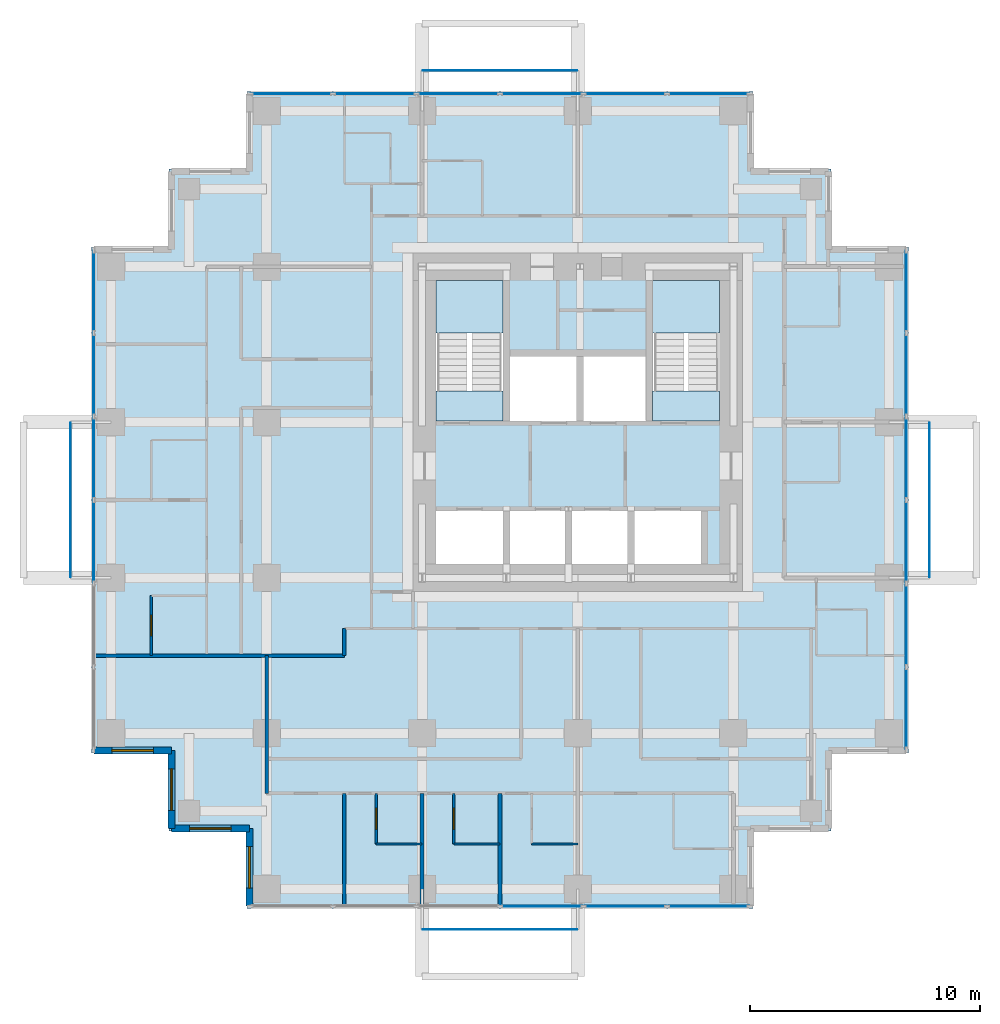
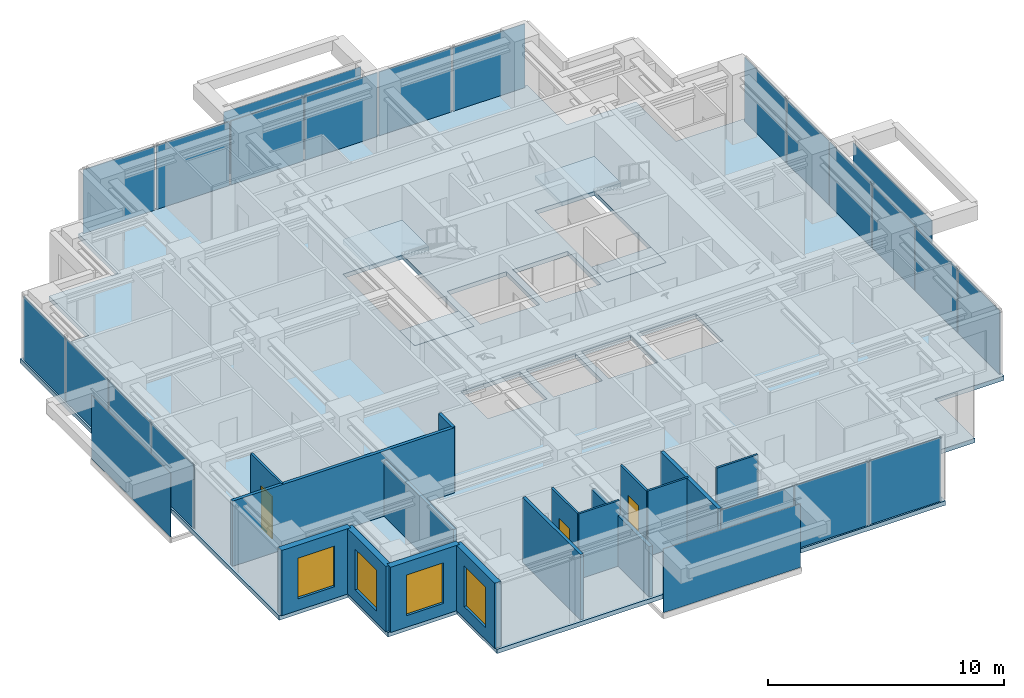
# One storey, part 5 of 10: 23 plates, 16 walls, 5 slabs, 4 windows, 3 doors, 7 openings, 6 elements without a shape of their own.
"""IFC4 building model written with IfcOpenShell, lengths in metres."""

from ifc_helpers import new_model, si_unit, direction, frame, frame_2d, origin, origin_2d, place, context, subcontext, project, spatial, polyline, rectangle, outline, extrude, material, layer, layer_set, type_object, element, fill, aggregate, save


model = new_model("IFC4")

# Units and contexts
model_context = context("Model", 3, precision=1e-05, world=origin(), true_north=direction((0.0, 1.0)))
body_context = subcontext(model_context, "Body", "Model", "MODEL_VIEW")
ifc_project = project(units=[si_unit("LENGTHUNIT", "METRE"), si_unit("AREAUNIT", "SQUARE_METRE"), si_unit("VOLUMEUNIT", "CUBIC_METRE"), si_unit("PLANEANGLEUNIT", "RADIAN"), si_unit("MASSUNIT", "GRAM", prefix="KILO")], contexts=[model_context])

# Site, building, storey
site_placement = place(None, origin())
site = spatial("IfcSite", under=ifc_project, at=site_placement, CompositionType="ELEMENT")
building_placement = place(site_placement, origin())
building = spatial("IfcBuilding", under=site, at=building_placement, Name="Nyansa Garden Tower", CompositionType="ELEMENT")
storey_placement = place(building_placement, frame((0.0, 0.0, 174.60009765625)))
storey = spatial("IfcBuildingStorey", under=building, at=storey_placement, Name="L47", CompositionType="ELEMENT", Elevation=174.60009765625)

# Curtain wall, plates
ifc_material_1 = material(Name="Black anodised aluminium, dark tinted double glazing", Category="aluminium")
curtain_wall_type = type_object("IfcCurtainWallType", Name="Inner skin curtain wall ISW-C", PredefinedType="USERDEFINED", material=ifc_material_1)
curtain_wall_1_placement = place(storey_placement, origin())
curtain_wall_1 = element("IfcCurtainWall", 1, at=curtain_wall_1_placement, inside=storey, type_object=curtain_wall_type, Name="Inner skin curtain wall L47 E", ObjectType="UNITISED CURTAIN WALL", PredefinedType="USERDEFINED")
ifc_material_2 = material(Name="Dark tinted laminated double glazing", Category="glass")
ifc_layer_1 = layer(ifc_material_2, 0.0400390625)
ifc_layer_set_1 = layer_set([ifc_layer_1], Name="Dark tinted vision panel VP-C")
plate_type_1 = type_object("IfcPlateType", Name="Dark tinted vision panel VP-C", PredefinedType="CURTAIN_PANEL", material=ifc_layer_set_1)
plate_1_placement = place(storey_placement, frame((34.5, 7.830078125, 0.0), z_axis=(0.0, 0.0, 1.0), x_axis=(0.0, 1.0, 0.0)))
plate_1 = element("IfcPlate", 2, at=plate_1_placement, type_object=plate_type_1, Name="ISW-C panel 1", PredefinedType="CURTAIN_PANEL", context=body_context, shape_type="SweptSolid", body=[
    extrude(rectangle(XDim=3.52001953125, YDim=0.0400390625, at=origin_2d()), origin(), (0.0, 0.0, 1.0), 3.304931640625),
])
plate_2_placement = place(storey_placement, frame((34.5, 11.4375, 0.0), z_axis=(0.0, 0.0, 1.0), x_axis=(0.0, 1.0, 0.0)))
plate_2 = element("IfcPlate", 3, at=plate_2_placement, type_object=plate_type_1, Name="ISW-C panel 2", PredefinedType="CURTAIN_PANEL", context=body_context, shape_type="SweptSolid", body=[
    extrude(rectangle(XDim=3.554931640625, YDim=0.0400390625, at=origin_2d()), origin(), (0.0, 0.0, 1.0), 3.304931640625),
])
plate_3_placement = place(storey_placement, frame((34.5, 15.0625, 0.0), z_axis=(0.0, 0.0, 1.0), x_axis=(0.0, 1.0, 0.0)))
plate_3 = element("IfcPlate", 4, at=plate_3_placement, type_object=plate_type_1, Name="ISW-C panel 3", PredefinedType="CURTAIN_PANEL", context=body_context, shape_type="SweptSolid", body=[
    extrude(rectangle(XDim=3.554931640625, YDim=0.0400390625, at=origin_2d()), origin(), (0.0, 0.0, 1.0), 3.304931640625),
])
plate_4_placement = place(storey_placement, frame((34.5, 18.6875, 0.0), z_axis=(0.0, 0.0, 1.0), x_axis=(0.0, 1.0, 0.0)))
plate_4 = element("IfcPlate", 5, at=plate_4_placement, type_object=plate_type_1, Name="ISW-C panel 4", PredefinedType="CURTAIN_PANEL", context=body_context, shape_type="SweptSolid", body=[
    extrude(rectangle(XDim=3.554931640625, YDim=0.0400390625, at=origin_2d()), origin(), (0.0, 0.0, 1.0), 3.304931640625),
])
plate_5_placement = place(storey_placement, frame((34.5, 22.3125, 0.0), z_axis=(0.0, 0.0, 1.0), x_axis=(0.0, 1.0, 0.0)))
plate_5 = element("IfcPlate", 6, at=plate_5_placement, type_object=plate_type_1, Name="ISW-C panel 5", PredefinedType="CURTAIN_PANEL", context=body_context, shape_type="SweptSolid", body=[
    extrude(rectangle(XDim=3.554931640625, YDim=0.0400390625, at=origin_2d()), origin(), (0.0, 0.0, 1.0), 3.304931640625),
])
plate_6_placement = place(storey_placement, frame((34.5, 25.919921875, 0.0), z_axis=(0.0, 0.0, 1.0), x_axis=(0.0, 1.0, 0.0)))
plate_6 = element("IfcPlate", 7, at=plate_6_placement, type_object=plate_type_1, Name="ISW-C panel 6", PredefinedType="CURTAIN_PANEL", context=body_context, shape_type="SweptSolid", body=[
    extrude(rectangle(XDim=3.52001953125, YDim=0.0400390625, at=origin_2d()), origin(), (0.0, 0.0, 1.0), 3.304931640625),
])
aggregate(curtain_wall_1, [plate_1, plate_2, plate_3, plate_4, plate_5, plate_6])

curtain_wall_2_placement = place(storey_placement, origin())
curtain_wall_2 = element("IfcCurtainWall", 8, at=curtain_wall_2_placement, inside=storey, type_object=curtain_wall_type, Name="Inner skin curtain wall L47 N", ObjectType="UNITISED CURTAIN WALL", PredefinedType="USERDEFINED")
plate_7_placement = place(storey_placement, frame((25.919921875, 34.5, 0.0), z_axis=(0.0, 0.0, 1.0), x_axis=(-1.0, 0.0, 0.0)))
plate_7 = element("IfcPlate", 9, at=plate_7_placement, type_object=plate_type_1, Name="ISW-C panel 1", PredefinedType="CURTAIN_PANEL", context=body_context, shape_type="SweptSolid", body=[
    extrude(rectangle(XDim=3.52001953125, YDim=0.0400390625, at=origin_2d()), origin(), (0.0, 0.0, 1.0), 3.304931640625),
])
plate_8_placement = place(storey_placement, frame((22.3125, 34.5, 0.0), z_axis=(0.0, 0.0, 1.0), x_axis=(-1.0, 0.0, 0.0)))
plate_8 = element("IfcPlate", 10, at=plate_8_placement, type_object=plate_type_1, Name="ISW-C panel 2", PredefinedType="CURTAIN_PANEL", context=body_context, shape_type="SweptSolid", body=[
    extrude(rectangle(XDim=3.554931640625, YDim=0.0400390625, at=origin_2d()), origin(), (0.0, 0.0, 1.0), 3.304931640625),
])
plate_9_placement = place(storey_placement, frame((18.6875, 34.5, 0.0), z_axis=(0.0, 0.0, 1.0), x_axis=(-1.0, 0.0, 0.0)))
plate_9 = element("IfcPlate", 11, at=plate_9_placement, type_object=plate_type_1, Name="ISW-C panel 3", PredefinedType="CURTAIN_PANEL", context=body_context, shape_type="SweptSolid", body=[
    extrude(rectangle(XDim=3.554931640625, YDim=0.0400390625, at=origin_2d()), origin(), (0.0, 0.0, 1.0), 3.304931640625),
])
plate_10_placement = place(storey_placement, frame((15.0625, 34.5, 0.0), z_axis=(0.0, 0.0, 1.0), x_axis=(-1.0, 0.0, 0.0)))
plate_10 = element("IfcPlate", 12, at=plate_10_placement, type_object=plate_type_1, Name="ISW-C panel 4", PredefinedType="CURTAIN_PANEL", context=body_context, shape_type="SweptSolid", body=[
    extrude(rectangle(XDim=3.554931640625, YDim=0.0400390625, at=origin_2d()), origin(), (0.0, 0.0, 1.0), 3.304931640625),
])
plate_11_placement = place(storey_placement, frame((11.4375, 34.5, 0.0), z_axis=(0.0, 0.0, 1.0), x_axis=(-1.0, 0.0, 0.0)))
plate_11 = element("IfcPlate", 13, at=plate_11_placement, type_object=plate_type_1, Name="ISW-C panel 5", PredefinedType="CURTAIN_PANEL", context=body_context, shape_type="SweptSolid", body=[
    extrude(rectangle(XDim=3.554931640625, YDim=0.0400390625, at=origin_2d()), origin(), (0.0, 0.0, 1.0), 3.304931640625),
])
plate_12_placement = place(storey_placement, frame((7.830078125, 34.5, 0.0), z_axis=(0.0, 0.0, 1.0), x_axis=(-1.0, 0.0, 0.0)))
plate_12 = element("IfcPlate", 14, at=plate_12_placement, type_object=plate_type_1, Name="ISW-C panel 6", PredefinedType="CURTAIN_PANEL", context=body_context, shape_type="SweptSolid", body=[
    extrude(rectangle(XDim=3.52001953125, YDim=0.0400390625, at=origin_2d()), origin(), (0.0, 0.0, 1.0), 3.304931640625),
])
aggregate(curtain_wall_2, [plate_7, plate_8, plate_9, plate_10, plate_11, plate_12])

curtain_wall_3_placement = place(storey_placement, origin())
curtain_wall_3 = element("IfcCurtainWall", 15, at=curtain_wall_3_placement, inside=storey, type_object=curtain_wall_type, Name="Inner skin curtain wall L47 W", ObjectType="UNITISED CURTAIN WALL", PredefinedType="USERDEFINED")
plate_13_placement = place(storey_placement, frame((-0.75, 25.919921875, 0.0), z_axis=(0.0, 0.0, 1.0), x_axis=(0.0, -1.0, 0.0)))
plate_13 = element("IfcPlate", 16, at=plate_13_placement, type_object=plate_type_1, Name="ISW-C panel 1", PredefinedType="CURTAIN_PANEL", context=body_context, shape_type="SweptSolid", body=[
    extrude(rectangle(XDim=3.52001953125, YDim=0.0400390625, at=origin_2d()), origin(), (0.0, 0.0, 1.0), 3.304931640625),
])
plate_14_placement = place(storey_placement, frame((-0.75, 22.3125, 0.0), z_axis=(0.0, 0.0, 1.0), x_axis=(0.0, -1.0, 0.0)))
plate_14 = element("IfcPlate", 17, at=plate_14_placement, type_object=plate_type_1, Name="ISW-C panel 2", PredefinedType="CURTAIN_PANEL", context=body_context, shape_type="SweptSolid", body=[
    extrude(rectangle(XDim=3.554931640625, YDim=0.0400390625, at=origin_2d()), origin(), (0.0, 0.0, 1.0), 3.304931640625),
])
plate_15_placement = place(storey_placement, frame((-0.75, 18.6875, 0.0), z_axis=(0.0, 0.0, 1.0), x_axis=(0.0, -1.0, 0.0)))
plate_15 = element("IfcPlate", 18, at=plate_15_placement, type_object=plate_type_1, Name="ISW-C panel 3", PredefinedType="CURTAIN_PANEL", context=body_context, shape_type="SweptSolid", body=[
    extrude(rectangle(XDim=3.554931640625, YDim=0.0400390625, at=origin_2d()), origin(), (0.0, 0.0, 1.0), 3.304931640625),
])
plate_16_placement = place(storey_placement, frame((-0.75, 15.0625, 0.0), z_axis=(0.0, 0.0, 1.0), x_axis=(0.0, -1.0, 0.0)))
plate_16 = element("IfcPlate", 19, at=plate_16_placement, type_object=plate_type_1, Name="ISW-C panel 4", PredefinedType="CURTAIN_PANEL", context=body_context, shape_type="SweptSolid", body=[
    extrude(rectangle(XDim=3.554931640625, YDim=0.0400390625, at=origin_2d()), origin(), (0.0, 0.0, 1.0), 3.304931640625),
])
aggregate(curtain_wall_3, [plate_13, plate_14, plate_15, plate_16])

curtain_wall_4_placement = place(storey_placement, origin())
curtain_wall_4 = element("IfcCurtainWall", 20, at=curtain_wall_4_placement, inside=storey, type_object=curtain_wall_type, Name="Inner skin curtain wall L47 S", ObjectType="UNITISED CURTAIN WALL", PredefinedType="USERDEFINED")
plate_17_placement = place(storey_placement, frame((18.6875, -0.75, 0.0), z_axis=(0.0, 0.0, 1.0), x_axis=(1.0, 0.0, 0.0)))
plate_17 = element("IfcPlate", 21, at=plate_17_placement, type_object=plate_type_1, Name="ISW-C panel 4", PredefinedType="CURTAIN_PANEL", context=body_context, shape_type="SweptSolid", body=[
    extrude(rectangle(XDim=3.554931640625, YDim=0.0400390625, at=origin_2d()), origin(), (0.0, 0.0, 1.0), 3.304931640625),
])
plate_18_placement = place(storey_placement, frame((22.3125, -0.75, 0.0), z_axis=(0.0, 0.0, 1.0), x_axis=(1.0, 0.0, 0.0)))
plate_18 = element("IfcPlate", 22, at=plate_18_placement, type_object=plate_type_1, Name="ISW-C panel 5", PredefinedType="CURTAIN_PANEL", context=body_context, shape_type="SweptSolid", body=[
    extrude(rectangle(XDim=3.554931640625, YDim=0.0400390625, at=origin_2d()), origin(), (0.0, 0.0, 1.0), 3.304931640625),
])
plate_19_placement = place(storey_placement, frame((25.919921875, -0.75, 0.0), z_axis=(0.0, 0.0, 1.0), x_axis=(1.0, 0.0, 0.0)))
plate_19 = element("IfcPlate", 23, at=plate_19_placement, type_object=plate_type_1, Name="ISW-C panel 6", PredefinedType="CURTAIN_PANEL", context=body_context, shape_type="SweptSolid", body=[
    extrude(rectangle(XDim=3.52001953125, YDim=0.0400390625, at=origin_2d()), origin(), (0.0, 0.0, 1.0), 3.304931640625),
])
aggregate(curtain_wall_4, [plate_17, plate_18, plate_19])

# Slab
ifc_material_3 = material(Name="Concrete C40/50", Category="concrete")
ifc_layer_2 = layer(ifc_material_3, 0.22509765625)
ifc_layer_set_2 = layer_set([ifc_layer_2], Name="Floor slab FS225")
slab_type_1 = type_object("IfcSlabType", Name="Floor slab FS225", PredefinedType="FLOOR", material=ifc_layer_set_2)
slab_1_placement = place(storey_placement, frame((0.0, 0.0, -0.22509765625)))
element("IfcSlab", 24, at=slab_1_placement, inside=storey, type_object=slab_type_1, Name="Floor slab L47", PredefinedType="FLOOR", context=body_context, shape_type="SweptSolid", body=[
    extrude(outline(polyline([(34.60009765625, 5.89990234375), (31.22509765625, 5.89990234375), (31.22509765625, 2.52490234375), (27.85009765625, 2.52490234375), (27.85009765625, -0.85009765625), (5.89990234375, -0.85009765625), (5.89990234375, 2.52490234375), (2.52490234375, 2.52490234375), (2.52490234375, 5.89990234375), (-0.85009765625, 5.89990234375), (-0.85009765625, 27.85009765625), (2.52490234375, 27.85009765625), (2.52490234375, 31.22509765625), (5.89990234375, 31.22509765625), (5.89990234375, 34.60009765625), (27.85009765625, 34.60009765625), (27.85009765625, 31.22509765625), (31.22509765625, 31.22509765625), (31.22509765625, 27.85009765625), (34.60009765625, 27.85009765625), (34.60009765625, 5.89990234375)]), holes=[polyline([(14.10009765625, 14.10009765625), (17.0, 14.10009765625), (17.0, 16.39990234375), (14.10009765625, 16.39990234375), (14.10009765625, 14.10009765625)]), polyline([(17.300048828125, 14.10009765625), (19.699951171875, 14.10009765625), (19.699951171875, 16.39990234375), (17.300048828125, 16.39990234375), (17.300048828125, 14.10009765625)]), polyline([(20.0, 14.10009765625), (22.39990234375, 14.10009765625), (22.39990234375, 16.39990234375), (20.0, 16.39990234375), (20.0, 14.10009765625)]), polyline([(22.699951171875, 14.10009765625), (25.60009765625, 14.10009765625), (25.60009765625, 16.39990234375), (22.699951171875, 16.39990234375), (22.699951171875, 14.10009765625)]), polyline([(17.300048828125, 20.300048828125), (20.199951171875, 20.300048828125), (20.199951171875, 23.10009765625), (17.300048828125, 23.10009765625), (17.300048828125, 20.300048828125)]), polyline([(20.5, 20.300048828125), (23.199951171875, 20.300048828125), (23.199951171875, 23.10009765625), (20.5, 23.10009765625), (20.5, 20.300048828125)]), polyline([(14.10009765625, 20.300048828125), (17.0, 20.300048828125), (17.0, 26.39990234375), (14.10009765625, 26.39990234375), (14.10009765625, 20.300048828125)]), polyline([(23.5, 20.300048828125), (26.39990234375, 20.300048828125), (26.39990234375, 26.39990234375), (23.5, 26.39990234375), (23.5, 20.300048828125)])]), origin(), (0.0, 0.0, 1.0), 0.22509765625),
])

# Plates
ifc_material_4 = material(Name="Dark tinted laminated glass", Category="glass")
ifc_layer_3 = layer(ifc_material_4, 0.02392578125)
ifc_layer_set_3 = layer_set([ifc_layer_3], Name="Outer skin glass panel OS1")
plate_type_2 = type_object("IfcPlateType", Name="Outer skin glass panel OS1", PredefinedType="USERDEFINED", material=ifc_layer_set_3)
for number, where, z_axis, x_axis, name in (
    (25, (35.5, 16.875, -0.22509765625), (0.0, 0.0, 1.0), (0.0, 1.0, 0.0), "Outer skin glass panel L47"),
    (26, (16.875, 35.5, -0.22509765625), (0.0, 0.0, 1.0), (1.0, 0.0, 0.0), "Outer skin glass panel L47"),
    (27, (-1.75, 16.875, -0.22509765625), (0.0, 0.0, 1.0), (0.0, 1.0, 0.0), "Outer skin glass panel L47"),
    (28, (16.875, -1.75, -0.22509765625), (0.0, 0.0, 1.0), (1.0, 0.0, 0.0), "Outer skin glass panel L47"),
):
    element("IfcPlate", number, at=place(storey_placement, frame(where, z_axis=z_axis, x_axis=x_axis)), inside=storey, type_object=plate_type_2, Name=name, ObjectType="OUTER SKIN GLASS", PredefinedType="USERDEFINED", context=body_context, shape_type="SweptSolid", body=[
        extrude(rectangle(XDim=6.7099609375, YDim=0.02392578125, at=origin_2d()), origin(), (0.0, 0.0, 1.0), 3.300048828125),
    ])

# Stair, slabs
ifc_material_5 = material(Name="Precast concrete C40/50", Category="concrete")
stair_type_1 = type_object("IfcStairType", Name="Stair S1 180x280", PredefinedType="HALF_TURN_STAIR", material=ifc_material_5)
stair_1_placement = place(storey_placement, origin())
stair_1 = element("IfcStair", 29, at=stair_1_placement, inside=storey, type_object=stair_type_1, Name="Stair S1 L47", PredefinedType="HALF_TURN_STAIR")
ifc_material_6 = material(Name="Concrete C40/50", Category="concrete")
ifc_layer_4 = layer(ifc_material_6, 0.199951171875)
ifc_layer_set_4 = layer_set([ifc_layer_4], Name="Stair landing SL200")
slab_type_2 = type_object("IfcSlabType", Name="Stair landing SL200", PredefinedType="LANDING", material=ifc_layer_set_4)
slab_2_placement = place(storey_placement, frame((0.0, 0.0, -0.2001953125)))
slab_2 = element("IfcSlab", 30, at=slab_2_placement, type_object=slab_type_2, Name="S1 landing 1", PredefinedType="LANDING", context=body_context, shape_type="SweptSolid", body=[
    extrude(outline(polyline([(14.10009765625, 20.300048828125), (17.0, 20.300048828125), (17.0, 21.60009765625), (14.10009765625, 21.60009765625), (14.10009765625, 20.300048828125)])), origin(), (0.0, 0.0, 1.0), 0.2001953125),
])
slab_3_placement = place(storey_placement, frame((0.0, 0.0, 1.599853515625)))
slab_3 = element("IfcSlab", 31, at=slab_3_placement, type_object=slab_type_2, Name="S1 landing 2", PredefinedType="LANDING", context=body_context, shape_type="SweptSolid", body=[
    extrude(outline(polyline([(14.10009765625, 24.1201171875), (17.0, 24.1201171875), (17.0, 26.39990234375), (14.10009765625, 26.39990234375), (14.10009765625, 24.1201171875)])), origin(), (0.0, 0.0, 1.0), 0.199951171875),
])
aggregate(stair_1, [slab_2, slab_3])

ifc_material_7 = material(Name="Precast concrete C40/50", Category="concrete")
stair_type_2 = type_object("IfcStairType", Name="Stair S2 180x280", PredefinedType="HALF_TURN_STAIR", material=ifc_material_7)
stair_2_placement = place(storey_placement, origin())
stair_2 = element("IfcStair", 32, at=stair_2_placement, inside=storey, type_object=stair_type_2, Name="Stair S2 L47", PredefinedType="HALF_TURN_STAIR")
slab_4_placement = place(storey_placement, frame((0.0, 0.0, -0.2001953125)))
slab_4 = element("IfcSlab", 33, at=slab_4_placement, type_object=slab_type_2, Name="S2 landing 1", PredefinedType="LANDING", context=body_context, shape_type="SweptSolid", body=[
    extrude(outline(polyline([(23.5, 20.300048828125), (26.39990234375, 20.300048828125), (26.39990234375, 21.60009765625), (23.5, 21.60009765625), (23.5, 20.300048828125)])), origin(), (0.0, 0.0, 1.0), 0.2001953125),
])
slab_5_placement = place(storey_placement, frame((0.0, 0.0, 1.599853515625)))
slab_5 = element("IfcSlab", 34, at=slab_5_placement, type_object=slab_type_2, Name="S2 landing 2", PredefinedType="LANDING", context=body_context, shape_type="SweptSolid", body=[
    extrude(outline(polyline([(23.5, 24.1201171875), (26.39990234375, 24.1201171875), (26.39990234375, 26.39990234375), (23.5, 26.39990234375), (23.5, 24.1201171875)])), origin(), (0.0, 0.0, 1.0), 0.199951171875),
])
aggregate(stair_2, [slab_4, slab_5])

# Walls
ifc_material_8 = material(Name="Dense blockwork, plastered both sides, 55 dB", Category="masonry")
ifc_layer_5 = layer(ifc_material_8, 0.175048828125)
ifc_layer_set_5 = layer_set([ifc_layer_5], Name="Acoustic party wall PW175")
wall_type_1 = type_object("IfcWallType", Name="Acoustic party wall PW175", PredefinedType="PARTITIONING", material=ifc_layer_set_5)
wall_1_placement = place(storey_placement, frame((13.5, -0.73388671875, 0.0), z_axis=(0.0, 0.0, 1.0), x_axis=(0.0, 1.0, 0.0)))
element("IfcWall", 35, at=wall_1_placement, inside=storey, type_object=wall_type_1, Name="Party wall", PredefinedType="PARTITIONING", context=body_context, shape_type="SweptSolid", body=[
    extrude(rectangle(XDim=4.8837890625, YDim=0.175048828125, at=frame_2d((2.44189453125, 0.0))), origin(), (0.0, 0.0, 1.0), 2.60986328125),
])
wall_2_placement = place(storey_placement, frame((16.875, -0.73388671875, 0.0), z_axis=(0.0, 0.0, 1.0), x_axis=(0.0, 1.0, 0.0)))
element("IfcWall", 36, at=wall_2_placement, inside=storey, type_object=wall_type_1, Name="Party wall", PredefinedType="PARTITIONING", context=body_context, shape_type="SweptSolid", body=[
    extrude(rectangle(XDim=4.8837890625, YDim=0.175048828125, at=frame_2d((2.44189453125, 0.0))), origin(), (0.0, 0.0, 1.0), 3.375),
])
ifc_material_9 = material(Name="Blockwork, plastered both sides", Category="masonry")
ifc_layer_6 = layer(ifc_material_9, 0.14990234375)
ifc_layer_set_6 = layer_set([ifc_layer_6], Name="Partition PW150")
wall_type_2 = type_object("IfcWallType", Name="Partition PW150", PredefinedType="PARTITIONING", material=ifc_layer_set_6)
wall_3_placement = place(storey_placement, frame((-0.73388671875, 10.125, 0.0), z_axis=(0.0, 0.0, 1.0), x_axis=(1.0, 0.0, 0.0)))
element("IfcWall", 37, at=wall_3_placement, inside=storey, type_object=wall_type_2, Name="Partition", PredefinedType="PARTITIONING", context=body_context, shape_type="SweptSolid", body=[
    extrude(rectangle(XDim=10.85888671875, YDim=0.14990234375, at=frame_2d((5.429443359375, 0.0))), origin(), (0.0, 0.0, 1.0), 3.375),
])
wall_4_placement = place(storey_placement, frame((6.75, 4.14990234375, 0.0), z_axis=(0.0, 0.0, 1.0), x_axis=(0.0, 1.0, 0.0)))
element("IfcWall", 38, at=wall_4_placement, inside=storey, type_object=wall_type_2, Name="Partition", PredefinedType="PARTITIONING", context=body_context, shape_type="SweptSolid", body=[
    extrude(rectangle(XDim=5.97509765625, YDim=0.14990234375, at=frame_2d((2.987548828125, 0.0))), origin(), (0.0, 0.0, 1.0), 2.876953125),
])
wall_5_placement = place(storey_placement, frame((10.125, -0.73388671875, 0.0), z_axis=(0.0, 0.0, 1.0), x_axis=(0.0, 1.0, 0.0)))
element("IfcWall", 39, at=wall_5_placement, inside=storey, type_object=wall_type_2, Name="Partition", PredefinedType="PARTITIONING", context=body_context, shape_type="SweptSolid", body=[
    extrude(rectangle(XDim=4.8837890625, YDim=0.14990234375, at=frame_2d((2.44189453125, 0.0))), origin(), (0.0, 0.0, 1.0), 3.375),
])
wall_6_placement = place(storey_placement, frame((10.125, 10.125, 0.0), z_axis=(0.0, 0.0, 1.0), x_axis=(0.0, 1.0, 0.0)))
element("IfcWall", 40, at=wall_6_placement, inside=storey, type_object=wall_type_2, Name="Partition", PredefinedType="PARTITIONING", context=body_context, shape_type="SweptSolid", body=[
    extrude(rectangle(XDim=1.175048828125, YDim=0.14990234375, at=frame_2d((0.58740234375, 0.0))), origin(), (0.0, 0.0, 1.0), 3.375),
])

# Wall, opening, window
ifc_material_10 = material(Name="Turquoise glazed tile on concrete blockwork", Category="masonry")
ifc_layer_7 = layer(ifc_material_10, 0.300048828125)
ifc_layer_set_7 = layer_set([ifc_layer_7], Name="Tiled corner wall TW300")
wall_type_3 = type_object("IfcWallType", Name="Tiled corner wall TW300", PredefinedType="SOLIDWALL", material=ifc_layer_set_7)
wall_7_placement = place(storey_placement, frame((-0.75, 6.0, 0.0), z_axis=(0.0, 0.0, 1.0), x_axis=(1.0, 0.0, 0.0)))
wall_7 = element("IfcWall", 41, at=wall_7_placement, inside=storey, type_object=wall_type_3, Name="Tiled corner wall L47", PredefinedType="SOLIDWALL", context=body_context, shape_type="SweptSolid", body=[
    extrude(rectangle(XDim=3.375, YDim=0.300048828125, at=frame_2d((1.6875, 0.0))), origin(), (0.0, 0.0, 1.0), 3.375),
])
opening_1_placement = place(wall_7_placement, frame((0.78759765625, 0.0, 0.60009765625)))
opening_1 = element("IfcOpeningElement", 42, at=opening_1_placement, cuts=wall_7, Name="Opening W2", PredefinedType="OPENING", context=body_context, shape_type="SweptSolid", body=[
    extrude(rectangle(XDim=1.800048828125, YDim=2.10009765625, at=frame_2d((0.89990234375, 1.050048828125))), frame((0.0, 0.159912109375, 0.0), z_axis=(0.0, -1.0, 0.0), x_axis=(1.0, 0.0, 0.0)), (0.0, 0.0, 1.0), 0.320068359375),
])
ifc_material_11 = material(Name="Black aluminium frame, dark tinted double glazing", Category="aluminium")
window_type = type_object("IfcWindowType", Name="Window W2 1800x2100", PartitioningType="SINGLE_PANEL", PredefinedType="WINDOW", material=ifc_material_11)
window_1_placement = place(opening_1_placement, origin())
window_1 = element("IfcWindow", 43, at=window_1_placement, inside=storey, type_object=window_type, Name="Corner window L47", OverallHeight=2.10009765625, OverallWidth=1.800048828125, PartitioningType="SINGLE_PANEL", PredefinedType="WINDOW", context=body_context, shape_type="SweptSolid", body=[
    extrude(rectangle(XDim=1.800048828125, YDim=2.10009765625, at=frame_2d((0.89990234375, 1.050048828125))), frame((0.0, 0.030029296875, 0.0), z_axis=(0.0, -1.0, 0.0), x_axis=(1.0, 0.0, 0.0)), (0.0, 0.0, 1.0), 0.06005859375),
])
fill(opening_1, window_1)

wall_8_placement = place(storey_placement, frame((2.625, 6.0, 0.0), z_axis=(0.0, 0.0, 1.0), x_axis=(0.0, -1.0, 0.0)))
wall_8 = element("IfcWall", 44, at=wall_8_placement, inside=storey, type_object=wall_type_3, Name="Tiled corner wall L47", PredefinedType="SOLIDWALL", context=body_context, shape_type="SweptSolid", body=[
    extrude(rectangle(XDim=3.375, YDim=0.300048828125, at=frame_2d((1.6875, 0.0))), origin(), (0.0, 0.0, 1.0), 3.375),
])
opening_2_placement = place(wall_8_placement, frame((0.78759765625, 0.0, 0.60009765625)))
opening_2 = element("IfcOpeningElement", 45, at=opening_2_placement, cuts=wall_8, Name="Opening W2", PredefinedType="OPENING", context=body_context, shape_type="SweptSolid", body=[
    extrude(rectangle(XDim=1.800048828125, YDim=2.10009765625, at=frame_2d((0.89990234375, 1.050048828125))), frame((0.0, 0.159912109375, 0.0), z_axis=(0.0, -1.0, 0.0), x_axis=(1.0, 0.0, 0.0)), (0.0, 0.0, 1.0), 0.320068359375),
])
window_2_placement = place(opening_2_placement, origin())
window_2 = element("IfcWindow", 46, at=window_2_placement, inside=storey, type_object=window_type, Name="Corner window L47", OverallHeight=2.10009765625, OverallWidth=1.800048828125, PartitioningType="SINGLE_PANEL", PredefinedType="WINDOW", context=body_context, shape_type="SweptSolid", body=[
    extrude(rectangle(XDim=1.800048828125, YDim=2.10009765625, at=frame_2d((0.89990234375, 1.050048828125))), frame((0.0, 0.030029296875, 0.0), z_axis=(0.0, -1.0, 0.0), x_axis=(1.0, 0.0, 0.0)), (0.0, 0.0, 1.0), 0.06005859375),
])
fill(opening_2, window_2)

wall_9_placement = place(storey_placement, frame((2.625, 2.625, 0.0), z_axis=(0.0, 0.0, 1.0), x_axis=(1.0, 0.0, 0.0)))
wall_9 = element("IfcWall", 47, at=wall_9_placement, inside=storey, type_object=wall_type_3, Name="Tiled corner wall L47", PredefinedType="SOLIDWALL", context=body_context, shape_type="SweptSolid", body=[
    extrude(rectangle(XDim=3.375, YDim=0.300048828125, at=frame_2d((1.6875, 0.0))), origin(), (0.0, 0.0, 1.0), 3.375),
])
opening_3_placement = place(wall_9_placement, frame((0.78759765625, 0.0, 0.60009765625)))
opening_3 = element("IfcOpeningElement", 48, at=opening_3_placement, cuts=wall_9, Name="Opening W2", PredefinedType="OPENING", context=body_context, shape_type="SweptSolid", body=[
    extrude(rectangle(XDim=1.800048828125, YDim=2.10009765625, at=frame_2d((0.89990234375, 1.050048828125))), frame((0.0, 0.159912109375, 0.0), z_axis=(0.0, -1.0, 0.0), x_axis=(1.0, 0.0, 0.0)), (0.0, 0.0, 1.0), 0.320068359375),
])
window_3_placement = place(opening_3_placement, origin())
window_3 = element("IfcWindow", 49, at=window_3_placement, inside=storey, type_object=window_type, Name="Corner window L47", OverallHeight=2.10009765625, OverallWidth=1.800048828125, PartitioningType="SINGLE_PANEL", PredefinedType="WINDOW", context=body_context, shape_type="SweptSolid", body=[
    extrude(rectangle(XDim=1.800048828125, YDim=2.10009765625, at=frame_2d((0.89990234375, 1.050048828125))), frame((0.0, 0.030029296875, 0.0), z_axis=(0.0, -1.0, 0.0), x_axis=(1.0, 0.0, 0.0)), (0.0, 0.0, 1.0), 0.06005859375),
])
fill(opening_3, window_3)

wall_10_placement = place(storey_placement, frame((6.0, 2.625, 0.0), z_axis=(0.0, 0.0, 1.0), x_axis=(0.0, -1.0, 0.0)))
wall_10 = element("IfcWall", 50, at=wall_10_placement, inside=storey, type_object=wall_type_3, Name="Tiled corner wall L47", PredefinedType="SOLIDWALL", context=body_context, shape_type="SweptSolid", body=[
    extrude(rectangle(XDim=3.375, YDim=0.300048828125, at=frame_2d((1.6875, 0.0))), origin(), (0.0, 0.0, 1.0), 3.375),
])
opening_4_placement = place(wall_10_placement, frame((0.78759765625, 0.0, 0.60009765625)))
opening_4 = element("IfcOpeningElement", 51, at=opening_4_placement, cuts=wall_10, Name="Opening W2", PredefinedType="OPENING", context=body_context, shape_type="SweptSolid", body=[
    extrude(rectangle(XDim=1.800048828125, YDim=2.10009765625, at=frame_2d((0.89990234375, 1.050048828125))), frame((0.0, 0.159912109375, 0.0), z_axis=(0.0, -1.0, 0.0), x_axis=(1.0, 0.0, 0.0)), (0.0, 0.0, 1.0), 0.320068359375),
])
window_4_placement = place(opening_4_placement, origin())
window_4 = element("IfcWindow", 52, at=window_4_placement, inside=storey, type_object=window_type, Name="Corner window L47", OverallHeight=2.10009765625, OverallWidth=1.800048828125, PartitioningType="SINGLE_PANEL", PredefinedType="WINDOW", context=body_context, shape_type="SweptSolid", body=[
    extrude(rectangle(XDim=1.800048828125, YDim=2.10009765625, at=frame_2d((0.89990234375, 1.050048828125))), frame((0.0, 0.030029296875, 0.0), z_axis=(0.0, -1.0, 0.0), x_axis=(1.0, 0.0, 0.0)), (0.0, 0.0, 1.0), 0.06005859375),
])
fill(opening_4, window_4)

# Wall, opening, door
ifc_material_12 = material(Name="Moisture resistant board on steel studs, tiled", Category="steel")
ifc_layer_8 = layer(ifc_material_12, 0.10009765625)
ifc_layer_set_8 = layer_set([ifc_layer_8], Name="Wet wall PW100")
wall_type_4 = type_object("IfcWallType", Name="Wet wall PW100", PredefinedType="PARTITIONING", material=ifc_layer_set_8)
wall_11_placement = place(storey_placement, frame((1.75, 10.125, 0.0), z_axis=(0.0, 0.0, 1.0), x_axis=(0.0, 1.0, 0.0)))
wall_11 = element("IfcWall", 53, at=wall_11_placement, inside=storey, type_object=wall_type_4, Name="Wet wall", PredefinedType="PARTITIONING", context=body_context, shape_type="SweptSolid", body=[
    extrude(rectangle(XDim=2.60009765625, YDim=0.10009765625, at=frame_2d((1.300048828125, 0.0))), origin(), (0.0, 0.0, 1.0), 3.375),
])
opening_5_placement = place(wall_11_placement, frame((0.85009765625, 0.0, 0.0)))
opening_5 = element("IfcOpeningElement", 54, at=opening_5_placement, cuts=wall_11, Name="Opening D02", PredefinedType="OPENING", context=body_context, shape_type="SweptSolid", body=[
    extrude(rectangle(XDim=0.89990234375, YDim=2.199951171875, at=frame_2d((0.449951171875, 1.10009765625))), frame((0.0, 0.06005859375, 0.0), z_axis=(0.0, -1.0, 0.0), x_axis=(1.0, 0.0, 0.0)), (0.0, 0.0, 1.0), 0.1201171875),
])
ifc_material_13 = material(Name="Timber flush door", Category="wood")
door_type = type_object("IfcDoorType", Name="En-suite door D02 900x2200", OperationType="SINGLE_SWING_RIGHT", PredefinedType="DOOR", material=ifc_material_13)
door_1_placement = place(opening_5_placement, origin())
door_1 = element("IfcDoor", 55, at=door_1_placement, inside=storey, type_object=door_type, Name="Door L47-047", OperationType="SINGLE_SWING_RIGHT", OverallHeight=2.199951171875, OverallWidth=0.89990234375, PredefinedType="DOOR", context=body_context, shape_type="SweptSolid", body=[
    extrude(rectangle(XDim=0.89990234375, YDim=2.199951171875, at=frame_2d((0.449951171875, 1.10009765625))), frame((0.0, 0.02490234375, 0.0), z_axis=(0.0, -1.0, 0.0), x_axis=(1.0, 0.0, 0.0)), (0.0, 0.0, 1.0), 0.050048828125),
])
fill(opening_5, door_1)

wall_12_placement = place(storey_placement, frame((11.5, 1.949951171875, 0.0), z_axis=(0.0, 0.0, 1.0), x_axis=(0.0, 1.0, 0.0)))
wall_12 = element("IfcWall", 56, at=wall_12_placement, inside=storey, type_object=wall_type_4, Name="Wet wall", PredefinedType="PARTITIONING", context=body_context, shape_type="SweptSolid", body=[
    extrude(rectangle(XDim=2.199951171875, YDim=0.10009765625, at=frame_2d((1.10009765625, 0.0))), origin(), (0.0, 0.0, 1.0), 3.375),
])
opening_6_placement = place(wall_12_placement, frame((0.64990234375, 0.0, 0.0)))
opening_6 = element("IfcOpeningElement", 57, at=opening_6_placement, cuts=wall_12, Name="Opening D02", PredefinedType="OPENING", context=body_context, shape_type="SweptSolid", body=[
    extrude(rectangle(XDim=0.89990234375, YDim=2.199951171875, at=frame_2d((0.449951171875, 1.10009765625))), frame((0.0, 0.06005859375, 0.0), z_axis=(0.0, -1.0, 0.0), x_axis=(1.0, 0.0, 0.0)), (0.0, 0.0, 1.0), 0.1201171875),
])
door_2_placement = place(opening_6_placement, origin())
door_2 = element("IfcDoor", 58, at=door_2_placement, inside=storey, type_object=door_type, Name="Door L47-020", OperationType="SINGLE_SWING_RIGHT", OverallHeight=2.199951171875, OverallWidth=0.89990234375, PredefinedType="DOOR", context=body_context, shape_type="SweptSolid", body=[
    extrude(rectangle(XDim=0.89990234375, YDim=2.199951171875, at=frame_2d((0.449951171875, 1.10009765625))), frame((0.0, 0.02490234375, 0.0), z_axis=(0.0, -1.0, 0.0), x_axis=(1.0, 0.0, 0.0)), (0.0, 0.0, 1.0), 0.050048828125),
])
fill(opening_6, door_2)

# Wall
wall_13_placement = place(storey_placement, frame((11.5, 1.949951171875, 0.0), z_axis=(0.0, 0.0, 1.0), x_axis=(1.0, 0.0, 0.0)))
element("IfcWall", 59, at=wall_13_placement, inside=storey, type_object=wall_type_4, Name="Wet wall", PredefinedType="PARTITIONING", context=body_context, shape_type="SweptSolid", body=[
    extrude(rectangle(XDim=2.0, YDim=0.10009765625, at=frame_2d((1.0, 0.0))), origin(), (0.0, 0.0, 1.0), 3.375),
])

# Wall, opening, door
wall_14_placement = place(storey_placement, frame((14.875, 1.949951171875, 0.0), z_axis=(0.0, 0.0, 1.0), x_axis=(0.0, 1.0, 0.0)))
wall_14 = element("IfcWall", 60, at=wall_14_placement, inside=storey, type_object=wall_type_4, Name="Wet wall", PredefinedType="PARTITIONING", context=body_context, shape_type="SweptSolid", body=[
    extrude(rectangle(XDim=2.199951171875, YDim=0.10009765625, at=frame_2d((1.10009765625, 0.0))), origin(), (0.0, 0.0, 1.0), 3.375),
])
opening_7_placement = place(wall_14_placement, frame((0.64990234375, 0.0, 0.0)))
opening_7 = element("IfcOpeningElement", 61, at=opening_7_placement, cuts=wall_14, Name="Opening D02", PredefinedType="OPENING", context=body_context, shape_type="SweptSolid", body=[
    extrude(rectangle(XDim=0.89990234375, YDim=2.199951171875, at=frame_2d((0.449951171875, 1.10009765625))), frame((0.0, 0.06005859375, 0.0), z_axis=(0.0, -1.0, 0.0), x_axis=(1.0, 0.0, 0.0)), (0.0, 0.0, 1.0), 0.1201171875),
])
door_3_placement = place(opening_7_placement, origin())
door_3 = element("IfcDoor", 62, at=door_3_placement, inside=storey, type_object=door_type, Name="Door L47-022", OperationType="SINGLE_SWING_RIGHT", OverallHeight=2.199951171875, OverallWidth=0.89990234375, PredefinedType="DOOR", context=body_context, shape_type="SweptSolid", body=[
    extrude(rectangle(XDim=0.89990234375, YDim=2.199951171875, at=frame_2d((0.449951171875, 1.10009765625))), frame((0.0, 0.02490234375, 0.0), z_axis=(0.0, -1.0, 0.0), x_axis=(1.0, 0.0, 0.0)), (0.0, 0.0, 1.0), 0.050048828125),
])
fill(opening_7, door_3)

# Walls
for number, where, z_axis, x_axis, name in (
    (63, (14.875, 1.949951171875, 0.0), (0.0, 0.0, 1.0), (1.0, 0.0, 0.0), "Wet wall"),
    (64, (18.25, 1.949951171875, 0.0), (0.0, 0.0, 1.0), (1.0, 0.0, 0.0), "Wet wall"),
):
    element("IfcWall", number, at=place(storey_placement, frame(where, z_axis=z_axis, x_axis=x_axis)), inside=storey, type_object=wall_type_4, Name=name, PredefinedType="PARTITIONING", context=body_context, shape_type="SweptSolid", body=[
        extrude(rectangle(XDim=2.0, YDim=0.10009765625, at=frame_2d((1.0, 0.0))), origin(), (0.0, 0.0, 1.0), 3.375),
    ])

save(model, "model.ifc")
